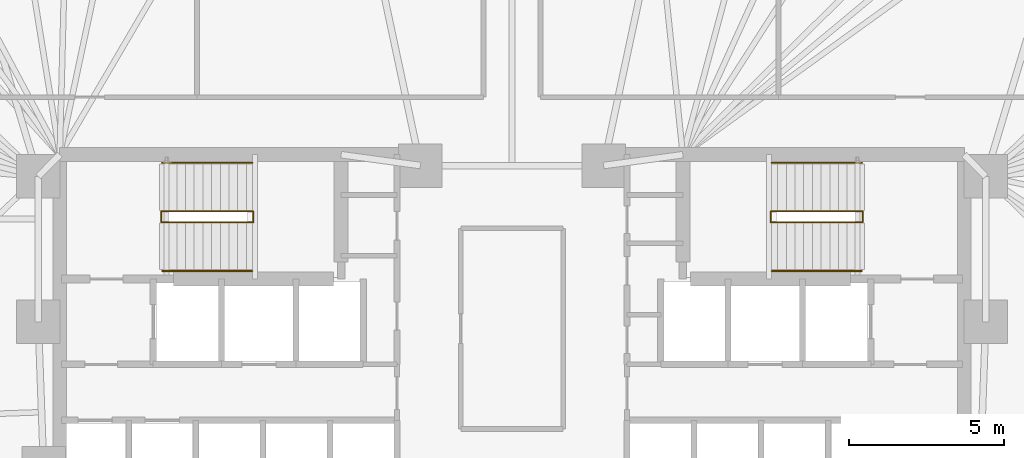
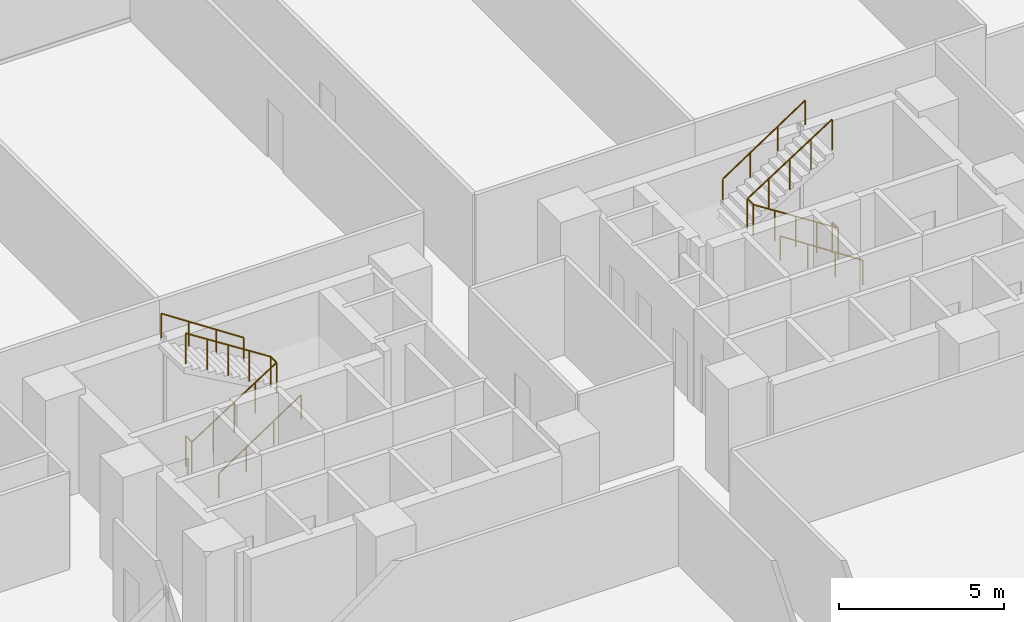
# One storey, part 16 of 16: 6 railings.
"""IFC4 building model written with IfcOpenShell, lengths in metres."""

from ifc_helpers import new_model, si_unit, direction, frame, origin, origin_2d, place, context, subcontext, project, spatial, circle, extrude, material, type_object, element, save


model = new_model("IFC4")

# Units and contexts
model_context = context("Model", 3, precision=1e-05, world=origin(), true_north=direction((0.0, 1.0)))
body_context = subcontext(model_context, "Body", "Model", "MODEL_VIEW")
ifc_project = project(units=[si_unit("LENGTHUNIT", "METRE"), si_unit("AREAUNIT", "SQUARE_METRE"), si_unit("VOLUMEUNIT", "CUBIC_METRE"), si_unit("PLANEANGLEUNIT", "RADIAN"), si_unit("MASSUNIT", "GRAM", prefix="KILO")], contexts=[model_context])

# Site, building, storey
site_placement = place(None, origin())
site = spatial("IfcSite", under=ifc_project, at=site_placement, CompositionType="ELEMENT")
building_placement = place(site_placement, origin())
building = spatial("IfcBuilding", under=site, at=building_placement, Name="Menara Jurai Vektor", CompositionType="ELEMENT")
storey_placement = place(building_placement, frame((0.0, 0.0, 33.199951171875)))
storey = spatial("IfcBuildingStorey", under=building, at=storey_placement, Name="L07", CompositionType="ELEMENT", Elevation=33.199951171875)

# Railings
ifc_material_1 = material(Name="Painted Galvanised Steel Balustrade", Category="steel")
railing_type_1 = type_object("IfcRailingType", Name="RAIL-STAIR-GUARD", PredefinedType="GUARDRAIL", material=ifc_material_1)
railing_1_placement = place(storey_placement, frame((-11.2900390625, 3.780029296875, 0.0)))
element("IfcRailing", 1, at=railing_1_placement, inside=storey, type_object=railing_type_1, Name="ST1 Stair Guardrail 1 L07", PredefinedType="GUARDRAIL", context=body_context, shape_type="SweptSolid", body=[
    extrude(circle(Radius=0.02392578125, at=origin_2d()), frame((0.0, 0.0, 1.1259765625), z_axis=(0.0, -1.0, 0.0), x_axis=(1.0, 0.0, 0.0)), (0.0, 0.0, 1.0), 0.360107421875),
    extrude(circle(Radius=0.02392578125, at=origin_2d()), frame((0.0, -0.360107421875, 1.1259765625), z_axis=(0.841525601958, 0.0, 0.540217235239), x_axis=(0.0, 1.0, 0.0)), (0.0, 0.0, 1.0), 3.517333984375),
    extrude(circle(Radius=0.02392578125, at=origin_2d()), frame((2.9599609375, -0.360107421875, 3.02587890625), z_axis=(0.0, 1.0, 0.0), x_axis=(-1.0, 0.0, 0.0)), (0.0, 0.0, 1.0), 0.360107421875),
    extrude(circle(Radius=0.02392578125, at=origin_2d()), frame((2.9599609375, 0.0, 3.02587890625), z_axis=(-0.841557155905, 0.0, 0.540168078791), x_axis=(0.0, -1.0, 0.0)), (0.0, 0.0, 1.0), 3.517333984375),
    extrude(circle(Radius=0.02099609375, at=origin_2d()), origin(), (0.0, 0.0, 1.0), 1.101806640625),
    extrude(circle(Radius=0.02099609375, at=origin_2d()), frame((0.0, -0.360107421875, 0.0)), (0.0, 0.0, 1.0), 1.101806640625),
    extrude(circle(Radius=0.02099609375, at=origin_2d()), frame((0.739990234375, -0.360107421875, 0.47509765625)), (0.0, 0.0, 1.0), 1.101806640625),
    extrude(circle(Radius=0.02099609375, at=origin_2d()), frame((1.47998046875, -0.360107421875, 0.9501953125)), (0.0, 0.0, 1.0), 1.101806640625),
    extrude(circle(Radius=0.02099609375, at=origin_2d()), frame((2.219970703125, -0.360107421875, 1.425048828125)), (0.0, 0.0, 1.0), 1.101806640625),
    extrude(circle(Radius=0.02099609375, at=origin_2d()), frame((2.9599609375, -0.360107421875, 1.900146484375)), (0.0, 0.0, 1.0), 1.101806640625),
    extrude(circle(Radius=0.02099609375, at=origin_2d()), frame((2.9599609375, 0.0, 1.900146484375)), (0.0, 0.0, 1.0), 1.101806640625),
    extrude(circle(Radius=0.02099609375, at=origin_2d()), frame((2.219970703125, 0.0, 2.375)), (0.0, 0.0, 1.0), 1.101806640625),
    extrude(circle(Radius=0.02099609375, at=origin_2d()), frame((1.47998046875, 0.0, 2.85009765625)), (0.0, 0.0, 1.0), 1.101806640625),
    extrude(circle(Radius=0.02099609375, at=origin_2d()), frame((0.739990234375, 0.0, 3.3251953125)), (0.0, 0.0, 1.0), 1.101806640625),
    extrude(circle(Radius=0.02099609375, at=origin_2d()), frame((0.0, 0.0, 3.800048828125)), (0.0, 0.0, 1.0), 1.101806640625),
])
railing_2_placement = place(storey_placement, frame((11.2900390625, 3.780029296875, 0.0)))
element("IfcRailing", 2, at=railing_2_placement, inside=storey, type_object=railing_type_1, Name="ST2 Stair Guardrail 1 L07", PredefinedType="GUARDRAIL", context=body_context, shape_type="SweptSolid", body=[
    extrude(circle(Radius=0.02392578125, at=origin_2d()), frame((0.0, 0.0, 1.1259765625), z_axis=(0.0, -1.0, 0.0), x_axis=(1.0, 0.0, 0.0)), (0.0, 0.0, 1.0), 0.360107421875),
    extrude(circle(Radius=0.02392578125, at=origin_2d()), frame((0.0, -0.360107421875, 1.1259765625), z_axis=(-0.841525601958, 0.0, 0.540217235239), x_axis=(0.0, -1.0, 0.0)), (0.0, 0.0, 1.0), 3.517333984375),
    extrude(circle(Radius=0.02392578125, at=origin_2d()), frame((-2.9599609375, -0.360107421875, 3.02587890625), z_axis=(0.0, 1.0, 0.0), x_axis=(-1.0, 0.0, 0.0)), (0.0, 0.0, 1.0), 0.360107421875),
    extrude(circle(Radius=0.02392578125, at=origin_2d()), frame((-2.9599609375, 0.0, 3.02587890625), z_axis=(0.841557155905, 0.0, 0.540168078791), x_axis=(0.0, 1.0, 0.0)), (0.0, 0.0, 1.0), 3.517333984375),
    extrude(circle(Radius=0.02099609375, at=origin_2d()), origin(), (0.0, 0.0, 1.0), 1.101806640625),
    extrude(circle(Radius=0.02099609375, at=origin_2d()), frame((0.0, -0.360107421875, 0.0)), (0.0, 0.0, 1.0), 1.101806640625),
    extrude(circle(Radius=0.02099609375, at=origin_2d()), frame((-0.739990234375, -0.360107421875, 0.47509765625)), (0.0, 0.0, 1.0), 1.101806640625),
    extrude(circle(Radius=0.02099609375, at=origin_2d()), frame((-1.47998046875, -0.360107421875, 0.9501953125)), (0.0, 0.0, 1.0), 1.101806640625),
    extrude(circle(Radius=0.02099609375, at=origin_2d()), frame((-2.219970703125, -0.360107421875, 1.425048828125)), (0.0, 0.0, 1.0), 1.101806640625),
    extrude(circle(Radius=0.02099609375, at=origin_2d()), frame((-2.9599609375, -0.360107421875, 1.900146484375)), (0.0, 0.0, 1.0), 1.101806640625),
    extrude(circle(Radius=0.02099609375, at=origin_2d()), frame((-2.9599609375, 0.0, 1.900146484375)), (0.0, 0.0, 1.0), 1.101806640625),
    extrude(circle(Radius=0.02099609375, at=origin_2d()), frame((-2.219970703125, 0.0, 2.375)), (0.0, 0.0, 1.0), 1.101806640625),
    extrude(circle(Radius=0.02099609375, at=origin_2d()), frame((-1.47998046875, 0.0, 2.85009765625)), (0.0, 0.0, 1.0), 1.101806640625),
    extrude(circle(Radius=0.02099609375, at=origin_2d()), frame((-0.739990234375, 0.0, 3.3251953125)), (0.0, 0.0, 1.0), 1.101806640625),
    extrude(circle(Radius=0.02099609375, at=origin_2d()), frame((0.0, 0.0, 3.800048828125)), (0.0, 0.0, 1.0), 1.101806640625),
])
ifc_material_2 = material(Name="Brushed Stainless Steel Handrail", Category="steel")
railing_type_2 = type_object("IfcRailingType", Name="RAIL-STAIR-HAND", PredefinedType="HANDRAIL", material=ifc_material_2)
railing_3_placement = place(storey_placement, frame((-11.25, 1.860107421875, 0.0)))
element("IfcRailing", 3, at=railing_3_placement, inside=storey, type_object=railing_type_2, Name="ST1 Stair Handrail 1 L07", PredefinedType="HANDRAIL", context=body_context, shape_type="SweptSolid", body=[
    extrude(circle(Radius=0.02392578125, at=origin_2d()), frame((0.0, 0.0, 0.89599609375), z_axis=(0.834686171885, 0.0, 0.550725879602), x_axis=(0.0, 1.0, 0.0)), (0.0, 0.0, 1.0), 3.4501953125),
    extrude(circle(Radius=0.02099609375, at=origin_2d()), origin(), (0.0, 0.0, 1.0), 0.871826171875),
    extrude(circle(Radius=0.02099609375, at=origin_2d()), frame((0.9599609375, 0.0, 0.63330078125)), (0.0, 0.0, 1.0), 0.871826171875),
    extrude(circle(Radius=0.02099609375, at=origin_2d()), frame((1.919921875, 0.0, 1.266845703125)), (0.0, 0.0, 1.0), 0.871826171875),
    extrude(circle(Radius=0.02099609375, at=origin_2d()), frame((2.8798828125, 0.0, 1.900146484375)), (0.0, 0.0, 1.0), 0.871826171875),
])
railing_4_placement = place(storey_placement, frame((-8.3701171875, 5.340087890625, 1.900146484375)))
element("IfcRailing", 4, at=railing_4_placement, inside=storey, type_object=railing_type_2, Name="ST1 Stair Handrail 2 L07", PredefinedType="HANDRAIL", context=body_context, shape_type="SweptSolid", body=[
    extrude(circle(Radius=0.02392578125, at=origin_2d()), frame((0.0, 0.0, 0.89599609375), z_axis=(-0.834718698933, 0.0, 0.550676578085), x_axis=(0.0, -1.0, 0.0)), (0.0, 0.0, 1.0), 3.4501953125),
    extrude(circle(Radius=0.02099609375, at=origin_2d()), origin(), (0.0, 0.0, 1.0), 0.871826171875),
    extrude(circle(Radius=0.02099609375, at=origin_2d()), frame((-0.9599609375, 0.0, 0.63330078125)), (0.0, 0.0, 1.0), 0.871826171875),
    extrude(circle(Radius=0.02099609375, at=origin_2d()), frame((-1.919921875, 0.0, 1.2666015625)), (0.0, 0.0, 1.0), 0.871826171875),
    extrude(circle(Radius=0.02099609375, at=origin_2d()), frame((-2.8798828125, 0.0, 1.89990234375)), (0.0, 0.0, 1.0), 0.871826171875),
])
railing_5_placement = place(storey_placement, frame((11.25, 1.860107421875, 0.0)))
element("IfcRailing", 5, at=railing_5_placement, inside=storey, type_object=railing_type_2, Name="ST2 Stair Handrail 1 L07", PredefinedType="HANDRAIL", context=body_context, shape_type="SweptSolid", body=[
    extrude(circle(Radius=0.02392578125, at=origin_2d()), frame((0.0, 0.0, 0.89599609375), z_axis=(-0.834686171885, 0.0, 0.550725879602), x_axis=(0.0, -1.0, 0.0)), (0.0, 0.0, 1.0), 3.4501953125),
    extrude(circle(Radius=0.02099609375, at=origin_2d()), origin(), (0.0, 0.0, 1.0), 0.871826171875),
    extrude(circle(Radius=0.02099609375, at=origin_2d()), frame((-0.9599609375, 0.0, 0.63330078125)), (0.0, 0.0, 1.0), 0.871826171875),
    extrude(circle(Radius=0.02099609375, at=origin_2d()), frame((-1.919921875, 0.0, 1.266845703125)), (0.0, 0.0, 1.0), 0.871826171875),
    extrude(circle(Radius=0.02099609375, at=origin_2d()), frame((-2.8798828125, 0.0, 1.900146484375)), (0.0, 0.0, 1.0), 0.871826171875),
])
railing_6_placement = place(storey_placement, frame((8.3701171875, 5.340087890625, 1.900146484375)))
element("IfcRailing", 6, at=railing_6_placement, inside=storey, type_object=railing_type_2, Name="ST2 Stair Handrail 2 L07", PredefinedType="HANDRAIL", context=body_context, shape_type="SweptSolid", body=[
    extrude(circle(Radius=0.02392578125, at=origin_2d()), frame((0.0, 0.0, 0.89599609375), z_axis=(0.834718698933, 0.0, 0.550676578085), x_axis=(0.0, 1.0, 0.0)), (0.0, 0.0, 1.0), 3.4501953125),
    extrude(circle(Radius=0.02099609375, at=origin_2d()), origin(), (0.0, 0.0, 1.0), 0.871826171875),
    extrude(circle(Radius=0.02099609375, at=origin_2d()), frame((0.9599609375, 0.0, 0.63330078125)), (0.0, 0.0, 1.0), 0.871826171875),
    extrude(circle(Radius=0.02099609375, at=origin_2d()), frame((1.919921875, 0.0, 1.2666015625)), (0.0, 0.0, 1.0), 0.871826171875),
    extrude(circle(Radius=0.02099609375, at=origin_2d()), frame((2.8798828125, 0.0, 1.89990234375)), (0.0, 0.0, 1.0), 0.871826171875),
])

save(model, "model.ifc")
